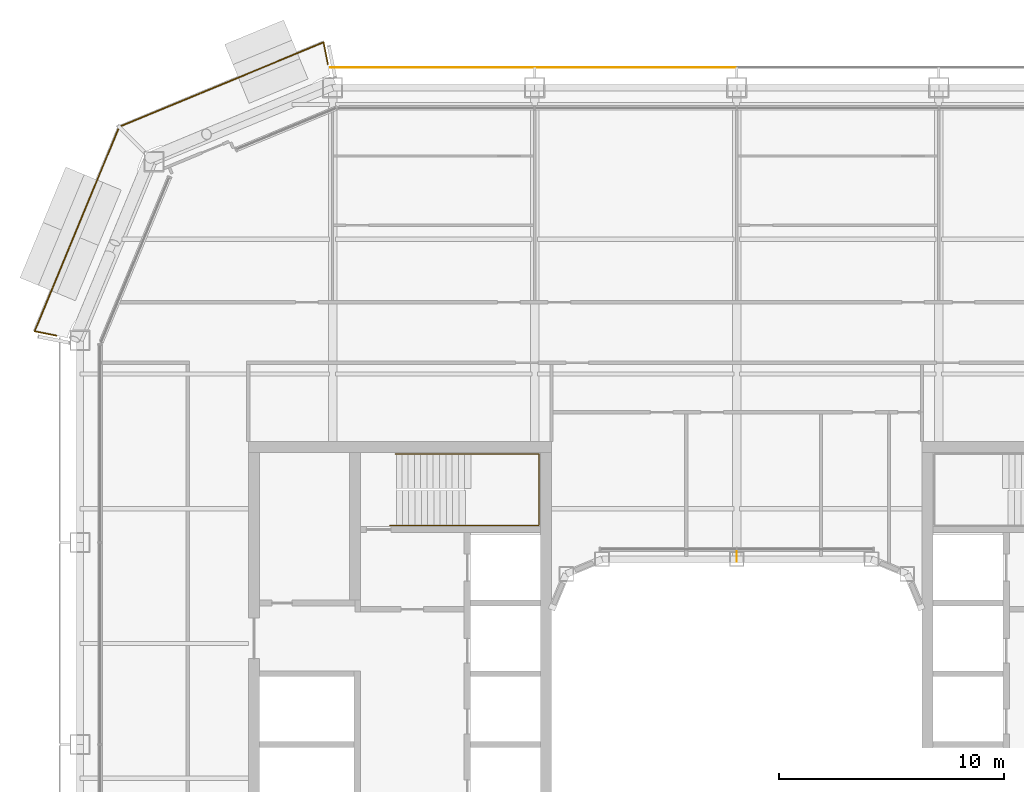
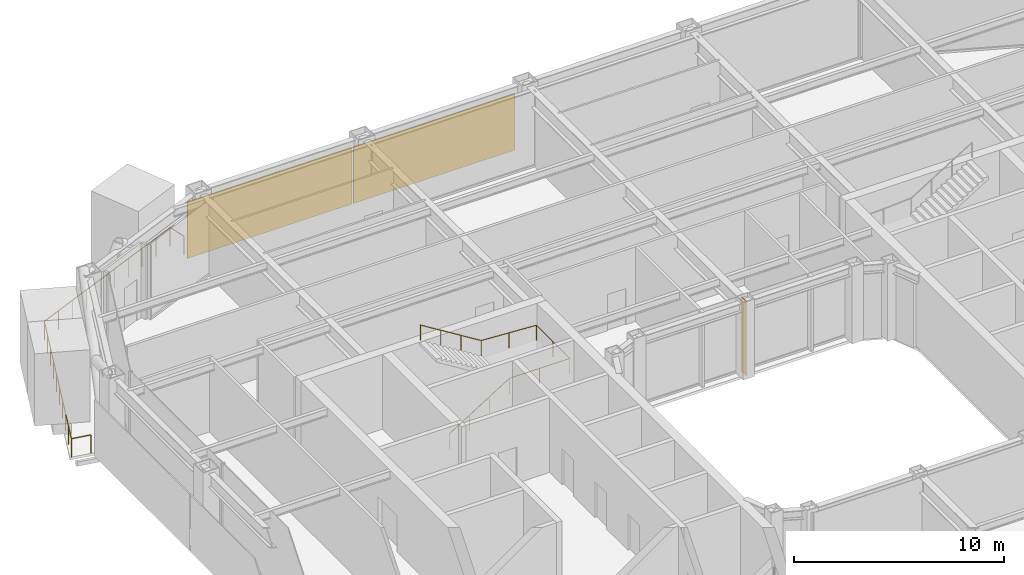
# One storey, part 21 of 23: 2 coverings, 2 railings, 1 shading device.
"""IFC4 building model written with IfcOpenShell, lengths in metres."""

from ifc_helpers import new_model, si_unit, direction, frame, origin, origin_2d, place, context, subcontext, project, spatial, rectangle, circle, extrude, material, layer, layer_set, type_object, element, save


model = new_model("IFC4")

# Units and contexts
model_context = context("Model", 3, precision=1e-05, world=origin(), true_north=direction((0.0, 1.0)))
body_context = subcontext(model_context, "Body", "Model", "MODEL_VIEW")
ifc_project = project(units=[si_unit("LENGTHUNIT", "METRE"), si_unit("AREAUNIT", "SQUARE_METRE"), si_unit("VOLUMEUNIT", "CUBIC_METRE"), si_unit("PLANEANGLEUNIT", "RADIAN"), si_unit("MASSUNIT", "GRAM", prefix="KILO")], contexts=[model_context])

# Site, building, storey
site_placement = place(None, origin())
site = spatial("IfcSite", under=ifc_project, at=site_placement, CompositionType="ELEMENT")
building_placement = place(site_placement, origin())
building = spatial("IfcBuilding", under=site, at=building_placement, Name="Siwar Civic Tower", CompositionType="ELEMENT")
storey_placement = place(building_placement, frame((0.0, 0.0, 154.199951171875)))
storey = spatial("IfcBuildingStorey", under=building, at=storey_placement, Name="L33", CompositionType="ELEMENT", Elevation=154.199951171875)

# Railing
ifc_material_1 = material(Name="Stainless steel", Category="steel")
railing_type_1 = type_object("IfcRailingType", Name="CORE-STAIR-HANDRAIL", PredefinedType="HANDRAIL", material=ifc_material_1)
railing_1_placement = place(storey_placement, frame((-15.449951171875, 9.758056640625, 0.173095703125)))
element("IfcRailing", 1, at=railing_1_placement, inside=storey, type_object=railing_type_1, Name="Stair handrail ST1", PredefinedType="HANDRAIL", context=body_context, shape_type="SweptSolid", body=[
    extrude(circle(Radius=0.02001953125, at=origin_2d()), frame((0.0, 0.0, 0.8798828125), z_axis=(0.847063342986, 0.0, 0.531491950051), x_axis=(0.0, 1.0, 0.0)), (0.0, 0.0, 1.0), 3.90771484375),
    extrude(circle(Radius=0.02001953125, at=origin_2d()), frame((3.31005859375, 0.0, 2.956787109375), z_axis=(1.0, 0.0, 0.0), x_axis=(0.0, 1.0, 0.0)), (0.0, 0.0, 1.0), 3.331787109375),
    extrude(circle(Radius=0.02001953125, at=origin_2d()), frame((6.641845703125, 0.0, 2.956787109375), z_axis=(0.0, 1.0, 0.0), x_axis=(-1.0, 0.0, 0.0)), (0.0, 0.0, 1.0), 3.183837890625),
    extrude(circle(Radius=0.02001953125, at=origin_2d()), frame((6.641845703125, 3.183837890625, 2.956787109375), z_axis=(-0.99837434197, 0.0, 0.056997134106), x_axis=(0.0, -1.0, 0.0)), (0.0, 0.0, 1.0), 3.036865234375),
    extrude(circle(Radius=0.02001953125, at=origin_2d()), frame((3.60986328125, 3.183837890625, 3.1298828125), z_axis=(-0.850606129759, 0.0, 0.525803396734), x_axis=(0.0, -1.0, 0.0)), (0.0, 0.0, 1.0), 3.949951171875),
    extrude(circle(Radius=0.02001953125, at=origin_2d()), origin(), (0.0, 0.0, 1.0), 0.85986328125),
    extrude(circle(Radius=0.02001953125, at=origin_2d()), frame((1.103271484375, 0.0, 0.6923828125)), (0.0, 0.0, 1.0), 0.85986328125),
    extrude(circle(Radius=0.02001953125, at=origin_2d()), frame((2.206787109375, 0.0, 1.384521484375)), (0.0, 0.0, 1.0), 0.85986328125),
    extrude(circle(Radius=0.02001953125, at=origin_2d()), frame((3.31005859375, 0.0, 2.076904296875)), (0.0, 0.0, 1.0), 0.85986328125),
    extrude(circle(Radius=0.02001953125, at=origin_2d()), frame((4.97607421875, 0.0, 2.076904296875)), (0.0, 0.0, 1.0), 0.85986328125),
    extrude(circle(Radius=0.02001953125, at=origin_2d()), frame((6.641845703125, 0.0, 2.076904296875)), (0.0, 0.0, 1.0), 0.85986328125),
    extrude(circle(Radius=0.02001953125, at=origin_2d()), frame((6.641845703125, 1.591796875, 2.076904296875)), (0.0, 0.0, 1.0), 0.85986328125),
    extrude(circle(Radius=0.02001953125, at=origin_2d()), frame((6.641845703125, 3.183837890625, 2.076904296875)), (0.0, 0.0, 1.0), 0.85986328125),
    extrude(circle(Radius=0.02001953125, at=origin_2d()), frame((5.1259765625, 3.183837890625, 2.16357421875)), (0.0, 0.0, 1.0), 0.85986328125),
    extrude(circle(Radius=0.02001953125, at=origin_2d()), frame((3.60986328125, 3.183837890625, 2.25)), (0.0, 0.0, 1.0), 0.85986328125),
    extrude(circle(Radius=0.02001953125, at=origin_2d()), frame((2.489990234375, 3.183837890625, 2.9423828125)), (0.0, 0.0, 1.0), 0.85986328125),
    extrude(circle(Radius=0.02001953125, at=origin_2d()), frame((1.369873046875, 3.183837890625, 3.634521484375)), (0.0, 0.0, 1.0), 0.85986328125),
    extrude(circle(Radius=0.02001953125, at=origin_2d()), frame((0.25, 3.183837890625, 4.326904296875)), (0.0, 0.0, 1.0), 0.85986328125),
])

# Shading device
ifc_material_2 = material(Name="Aluminium 6063-T6", Category="aluminium")
ifc_layer_1 = layer(ifc_material_2, 0.02001953125)
ifc_layer_set_1 = layer_set([ifc_layer_1], Name="Aluminium 6063-T6")
shading_device_type = type_object("IfcShadingDeviceType", Name="ENV-FIN", PredefinedType="JALOUSIE", material=ifc_layer_set_1)
shading_device_placement = place(storey_placement, frame((0.0, 8.3701171875, 0.0), z_axis=(0.0, 0.0, 1.0), x_axis=(-1.0, 0.0, 0.0)))
element("IfcShadingDevice", 2, at=shading_device_placement, inside=storey, type_object=shading_device_type, Name="SUNSHADE fin WN 1", PredefinedType="JALOUSIE", context=body_context, shape_type="SweptSolid", body=[
    extrude(rectangle(XDim=0.02001953125, YDim=0.449951171875, at=origin_2d()), origin(), (0.0, 0.0, 1.0), 4.35009765625),
])

# Railing
ifc_material_3 = material(Name="Stainless steel 316", Category="steel")
railing_type_2 = type_object("IfcRailingType", Name="ENV-GUARD", PredefinedType="GUARDRAIL", material=ifc_material_3)
railing_2_placement = place(storey_placement, frame((-18.208251953125, 30.297119140625, 0.0)))
element("IfcRailing", 3, at=railing_2_placement, inside=storey, type_object=railing_type_2, Name="Balcony guard NW", PredefinedType="GUARDRAIL", context=body_context, shape_type="SweptSolid", body=[
    extrude(circle(Radius=0.02392578125, at=origin_2d()), frame((0.0, 0.0, 1.076171875), z_axis=(-0.195123592472, 0.980778661911, 0.0), x_axis=(-0.980778661911, -0.195123592472, 0.0)), (0.0, 0.0, 1.0), 0.993408203125),
    extrude(circle(Radius=0.02392578125, at=origin_2d()), frame((-0.19384765625, 0.974365234375, 1.076171875), z_axis=(-0.924056377406, -0.38225621169, 0.0), x_axis=(0.38225621169, -0.924056377406, 0.0)), (0.0, 0.0, 1.0), 9.851806640625),
    extrude(circle(Radius=0.02392578125, at=origin_2d()), frame((-9.29736328125, -2.79150390625, 1.076171875), z_axis=(-0.38225621169, -0.924056377406, 0.0), x_axis=(0.924056377406, -0.38225621169, 0.0)), (0.0, 0.0, 1.0), 9.851806640625),
    extrude(circle(Radius=0.02392578125, at=origin_2d()), frame((-13.063232421875, -11.89501953125, 1.076171875), z_axis=(0.980778661911, -0.195123592472, 0.0), x_axis=(0.195123592472, 0.980778661911, 0.0)), (0.0, 0.0, 1.0), 0.993408203125),
    extrude(circle(Radius=0.02099609375, at=origin_2d()), origin(), (0.0, 0.0, 1.0), 1.052001953125),
    extrude(circle(Radius=0.02099609375, at=origin_2d()), frame((-0.19384765625, 0.974365234375, 0.0)), (0.0, 0.0, 1.0), 1.052001953125),
    extrude(circle(Radius=0.02099609375, at=origin_2d()), frame((-1.205322265625, 0.555908203125, 0.0)), (0.0, 0.0, 1.0), 1.052001953125),
    extrude(circle(Radius=0.02099609375, at=origin_2d()), frame((-2.216796875, 0.137451171875, 0.0)), (0.0, 0.0, 1.0), 1.052001953125),
    extrude(circle(Radius=0.02099609375, at=origin_2d()), frame((-3.228271484375, -0.281005859375, 0.0)), (0.0, 0.0, 1.0), 1.052001953125),
    extrude(circle(Radius=0.02099609375, at=origin_2d()), frame((-4.23974609375, -0.699462890625, 0.0)), (0.0, 0.0, 1.0), 1.052001953125),
    extrude(circle(Radius=0.02099609375, at=origin_2d()), frame((-5.25146484375, -1.11767578125, 0.0)), (0.0, 0.0, 1.0), 1.052001953125),
    extrude(circle(Radius=0.02099609375, at=origin_2d()), frame((-6.262939453125, -1.5361328125, 0.0)), (0.0, 0.0, 1.0), 1.052001953125),
    extrude(circle(Radius=0.02099609375, at=origin_2d()), frame((-7.2744140625, -1.95458984375, 0.0)), (0.0, 0.0, 1.0), 1.052001953125),
    extrude(circle(Radius=0.02099609375, at=origin_2d()), frame((-8.285888671875, -2.373046875, 0.0)), (0.0, 0.0, 1.0), 1.052001953125),
    extrude(circle(Radius=0.02099609375, at=origin_2d()), frame((-9.29736328125, -2.79150390625, 0.0)), (0.0, 0.0, 1.0), 1.052001953125),
    extrude(circle(Radius=0.02099609375, at=origin_2d()), frame((-9.7158203125, -3.802978515625, 0.0)), (0.0, 0.0, 1.0), 1.052001953125),
    extrude(circle(Radius=0.02099609375, at=origin_2d()), frame((-10.13427734375, -4.814453125, 0.0)), (0.0, 0.0, 1.0), 1.052001953125),
    extrude(circle(Radius=0.02099609375, at=origin_2d()), frame((-10.552734375, -5.825927734375, 0.0)), (0.0, 0.0, 1.0), 1.052001953125),
    extrude(circle(Radius=0.02099609375, at=origin_2d()), frame((-10.97119140625, -6.83740234375, 0.0)), (0.0, 0.0, 1.0), 1.052001953125),
    extrude(circle(Radius=0.02099609375, at=origin_2d()), frame((-11.389404296875, -7.84912109375, 0.0)), (0.0, 0.0, 1.0), 1.052001953125),
    extrude(circle(Radius=0.02099609375, at=origin_2d()), frame((-11.807861328125, -8.860595703125, 0.0)), (0.0, 0.0, 1.0), 1.052001953125),
    extrude(circle(Radius=0.02099609375, at=origin_2d()), frame((-12.226318359375, -9.8720703125, 0.0)), (0.0, 0.0, 1.0), 1.052001953125),
    extrude(circle(Radius=0.02099609375, at=origin_2d()), frame((-12.644775390625, -10.883544921875, 0.0)), (0.0, 0.0, 1.0), 1.052001953125),
    extrude(circle(Radius=0.02099609375, at=origin_2d()), frame((-13.063232421875, -11.89501953125, 0.0)), (0.0, 0.0, 1.0), 1.052001953125),
    extrude(circle(Radius=0.02099609375, at=origin_2d()), frame((-12.0888671875, -12.0888671875, 0.0)), (0.0, 0.0, 1.0), 1.052001953125),
])

# Coverings
ifc_material_4 = material(Name="Perforated aluminium cassette, pale metal", Category="aluminium")
ifc_layer_2 = layer(ifc_material_4, 0.0400390625)
ifc_layer_set_2 = layer_set([ifc_layer_2], Name="Perforated aluminium cassette, pale metal")
covering_type = type_object("IfcCoveringType", Name="ENV-OUTER SKIN OS-1", PredefinedType="CLADDING", material=ifc_layer_set_2)
covering_1_placement = place(storey_placement, frame((-4.5, 30.14990234375, -0.14990234375), z_axis=(0.0, 0.0, 1.0), x_axis=(-1.0, 0.0, 0.0)))
element("IfcCovering", 4, at=covering_1_placement, inside=storey, type_object=covering_type, Name="OUTER SKIN OS-1 N 3", PredefinedType="CLADDING", context=body_context, shape_type="SweptSolid", body=[
    extrude(rectangle(XDim=8.89990234375, YDim=0.0400390625, at=origin_2d()), origin(), (0.0, 0.0, 1.0), 3.300048828125),
])
covering_2_placement = place(storey_placement, frame((-13.57958984375, 30.14990234375, -0.14990234375), z_axis=(0.0, 0.0, 1.0), x_axis=(-1.0, 0.0, 0.0)))
element("IfcCovering", 5, at=covering_2_placement, inside=storey, type_object=covering_type, Name="OUTER SKIN OS-1 N 4", PredefinedType="CLADDING", context=body_context, shape_type="SweptSolid", body=[
    extrude(rectangle(XDim=9.05908203125, YDim=0.0400390625, at=origin_2d()), origin(), (0.0, 0.0, 1.0), 3.300048828125),
])

save(model, "model.ifc")
